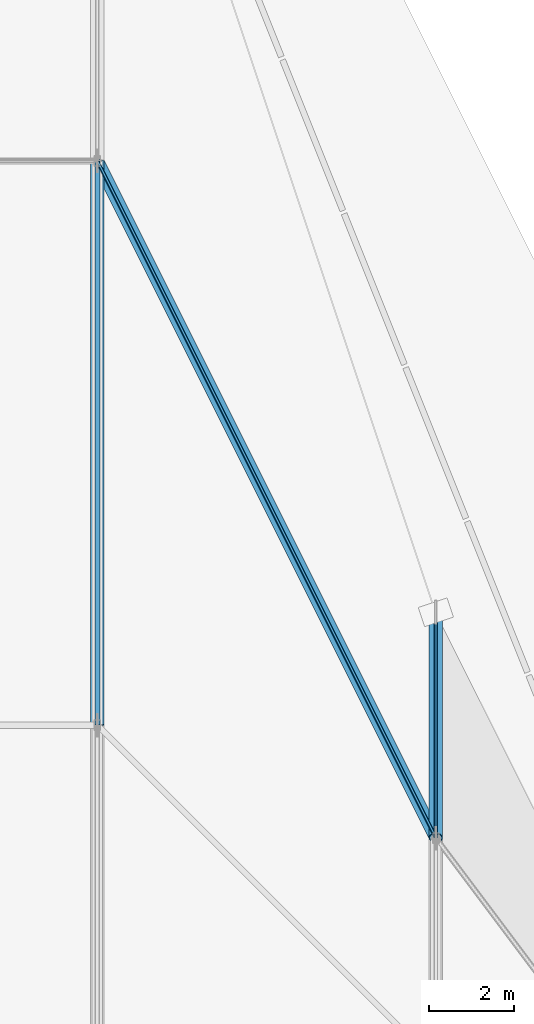
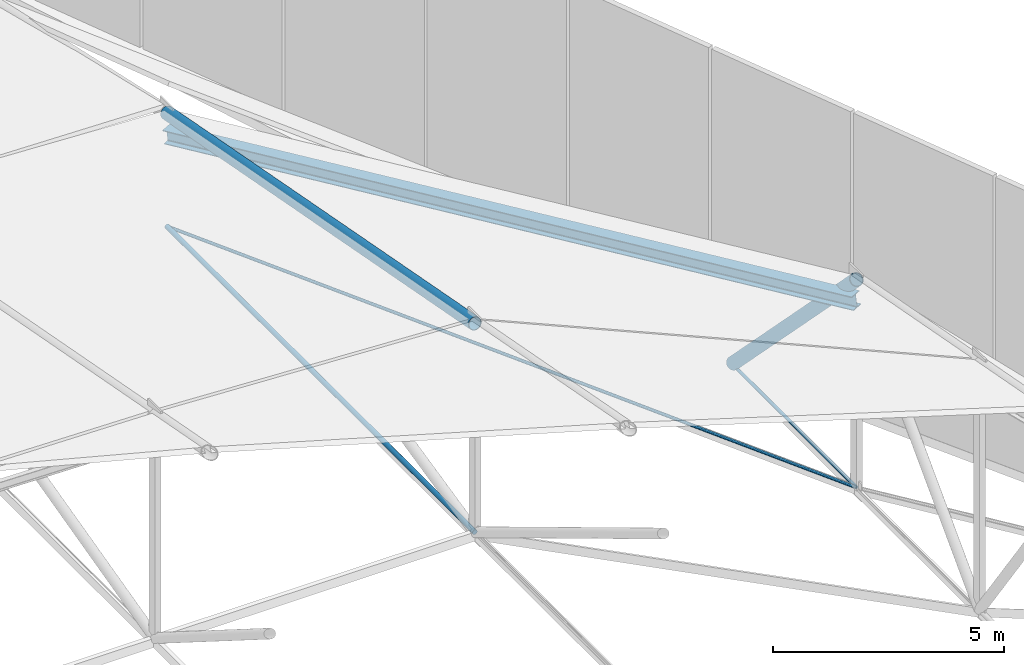
# One storey, part 17 of 30: 6 members.
"""IFC4 building model written with IfcOpenShell, lengths in metres."""

from ifc_helpers import new_model, si_unit, direction, frame, origin, origin_2d, place, context, subcontext, project, spatial, circle, hollow_circle, i_section, extrude, material, material_profile, profile_set, type_object, element, save


model = new_model("IFC4")

# Units and contexts
model_context = context("Model", 3, precision=1e-05, world=origin(), true_north=direction((0.0, 1.0)))
body_context = subcontext(model_context, "Body", "Model", "MODEL_VIEW")
ifc_project = project(units=[si_unit("LENGTHUNIT", "METRE"), si_unit("AREAUNIT", "SQUARE_METRE"), si_unit("VOLUMEUNIT", "CUBIC_METRE"), si_unit("PLANEANGLEUNIT", "RADIAN"), si_unit("MASSUNIT", "GRAM", prefix="KILO")], contexts=[model_context])

# Site, building, storey
site_placement = place(None, origin())
site = spatial("IfcSite", under=ifc_project, at=site_placement, CompositionType="ELEMENT")
building_placement = place(site_placement, origin())
building = spatial("IfcBuilding", under=site, at=building_placement, Name="Tazarka Park Arena", CompositionType="ELEMENT")
storey_placement = place(building_placement, frame((0.0, 0.0, 29.39990234375)))
storey = spatial("IfcBuildingStorey", under=building, at=storey_placement, Name="Roof", CompositionType="ELEMENT", Elevation=29.39990234375)

# Members
ifc_material_1 = material(Name="Locked-coil steel cable S1570", Category="steel")
ifc_material_profile_1 = material_profile(ifc_material_1, circle(Radius=0.0400390625, at=origin_2d()), Name="Locked-coil steel cable S1570")
ifc_profile_set_1 = profile_set([ifc_material_profile_1], Name="Locked-coil steel cable S1570")
member_type_1 = type_object("IfcMemberType", Name="MEM-CBL-01", PredefinedType="USERDEFINED", material=ifc_profile_set_1)
member_1_placement = place(storey_placement, frame((120.0, 74.666748046875, -0.0498046875), z_axis=(0.0, 1.0, 0.0), x_axis=(-1.0, 0.0, 0.0)))
element("IfcMember", 1, at=member_1_placement, inside=storey, type_object=member_type_1, Name="CABLE CBL-01-8-6", ObjectType="CABLE", PredefinedType="USERDEFINED", context=body_context, shape_type="SweptSolid", body=[
    extrude(circle(Radius=0.0400390625, at=origin_2d()), origin(), (0.0, 0.0, 1.0), 5.333251953125),
])
member_2_placement = place(storey_placement, frame((112.0, 90.666748046875, -0.0498046875), z_axis=(0.4472135955, -0.894427191, 0.0), x_axis=(0.894427191, 0.4472135955, 0.0)))
element("IfcMember", 2, at=member_2_placement, inside=storey, type_object=member_type_1, Name="CABLE TRANSVERSE 7-5", ObjectType="CABLE", PredefinedType="USERDEFINED", context=body_context, shape_type="SweptSolid", body=[
    extrude(circle(Radius=0.0400390625, at=origin_2d()), origin(), (0.0, 0.0, 1.0), 17.888427734375),
])
ifc_material_2 = material(Name="Locked-coil steel cable S1570", Category="steel")
ifc_material_profile_2 = material_profile(ifc_material_2, circle(Radius=0.06005859375, at=origin_2d()), Name="Locked-coil steel cable S1570")
ifc_profile_set_2 = profile_set([ifc_material_profile_2], Name="Locked-coil steel cable S1570")
member_type_2 = type_object("IfcMemberType", Name="MEM-CBL-03", PredefinedType="USERDEFINED", material=ifc_profile_set_2)
member_3_placement = place(storey_placement, frame((112.0, 77.333251953125, -0.0498046875), z_axis=(0.0, 1.0, 0.0), x_axis=(-1.0, 0.0, 0.0)))
element("IfcMember", 3, at=member_3_placement, inside=storey, type_object=member_type_2, Name="CABLE CBL-03-7-5", ObjectType="CABLE", PredefinedType="USERDEFINED", context=body_context, shape_type="SweptSolid", body=[
    extrude(circle(Radius=0.06005859375, at=origin_2d()), origin(), (0.0, 0.0, 1.0), 13.33349609375),
])
ifc_material_3 = material(Name="Steel S460", Category="steel")
ifc_material_profile_3 = material_profile(ifc_material_3, hollow_circle(Radius=0.161865234375, WallThickness=0.01611328125, at=origin_2d()), Name="Steel S460")
ifc_profile_set_3 = profile_set([ifc_material_profile_3], Name="Steel S460")
member_type_3 = type_object("IfcMemberType", Name="MEM-CH-03", PredefinedType="CHORD", material=ifc_profile_set_3)
member_4_placement = place(storey_placement, frame((112.0, 77.333251953125, 5.46484375), z_axis=(0.0, 0.982679772131, -0.185311806005), x_axis=(-1.0, 0.0, 0.0)))
element("IfcMember", 4, at=member_4_placement, inside=storey, type_object=member_type_3, Name="CABLE ARCH CHORD 7-5", PredefinedType="CHORD", context=body_context, shape_type="SweptSolid", body=[
    extrude(hollow_circle(Radius=0.161865234375, WallThickness=0.01611328125, at=origin_2d()), origin(), (0.0, 0.0, 1.0), 13.568603515625),
])
member_5_placement = place(storey_placement, frame((120.0, 74.666748046875, 5.44580078125), z_axis=(0.0, 0.699685428343, -0.714451048964), x_axis=(-1.0, 0.0, 0.0)))
element("IfcMember", 5, at=member_5_placement, inside=storey, type_object=member_type_3, Name="CABLE ARCH CHORD 8-6", PredefinedType="CHORD", context=body_context, shape_type="SweptSolid", body=[
    extrude(hollow_circle(Radius=0.161865234375, WallThickness=0.01611328125, at=origin_2d()), origin(), (0.0, 0.0, 1.0), 7.622314453125),
])
ifc_material_4 = material(Name="Steel S355", Category="steel")
ifc_material_profile_4 = material_profile(ifc_material_4, i_section(OverallWidth=0.300048828125, OverallDepth=0.35009765625, WebThickness=0.010009765625, FlangeThickness=0.017578125, FilletRadius=0.027099609375, at=origin_2d()), Name="Steel S355")
ifc_profile_set_4 = profile_set([ifc_material_profile_4], Name="Steel S355")
member_type_4 = type_object("IfcMemberType", Name="MEM-PR-04", PredefinedType="PURLIN", material=ifc_profile_set_4)
member_6_placement = place(storey_placement, frame((112.0, 90.666748046875, 2.390380859375), z_axis=(0.442924955495, -0.88584991099, 0.13815722565), x_axis=(0.894427191, 0.4472135955, 0.0)))
element("IfcMember", 6, at=member_6_placement, inside=storey, type_object=member_type_4, Name="RPM-06-05", PredefinedType="PURLIN", context=body_context, shape_type="SweptSolid", body=[
    extrude(i_section(OverallWidth=0.300048828125, OverallDepth=0.35009765625, WebThickness=0.010009765625, FlangeThickness=0.017578125, FilletRadius=0.027099609375, at=origin_2d()), origin(), (0.0, 0.0, 1.0), 18.061767578125),
])

save(model, "model.ifc")
